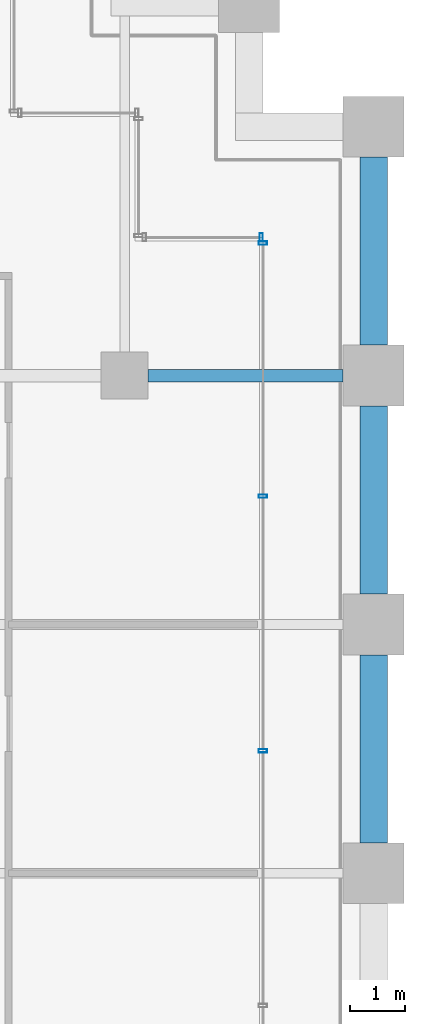
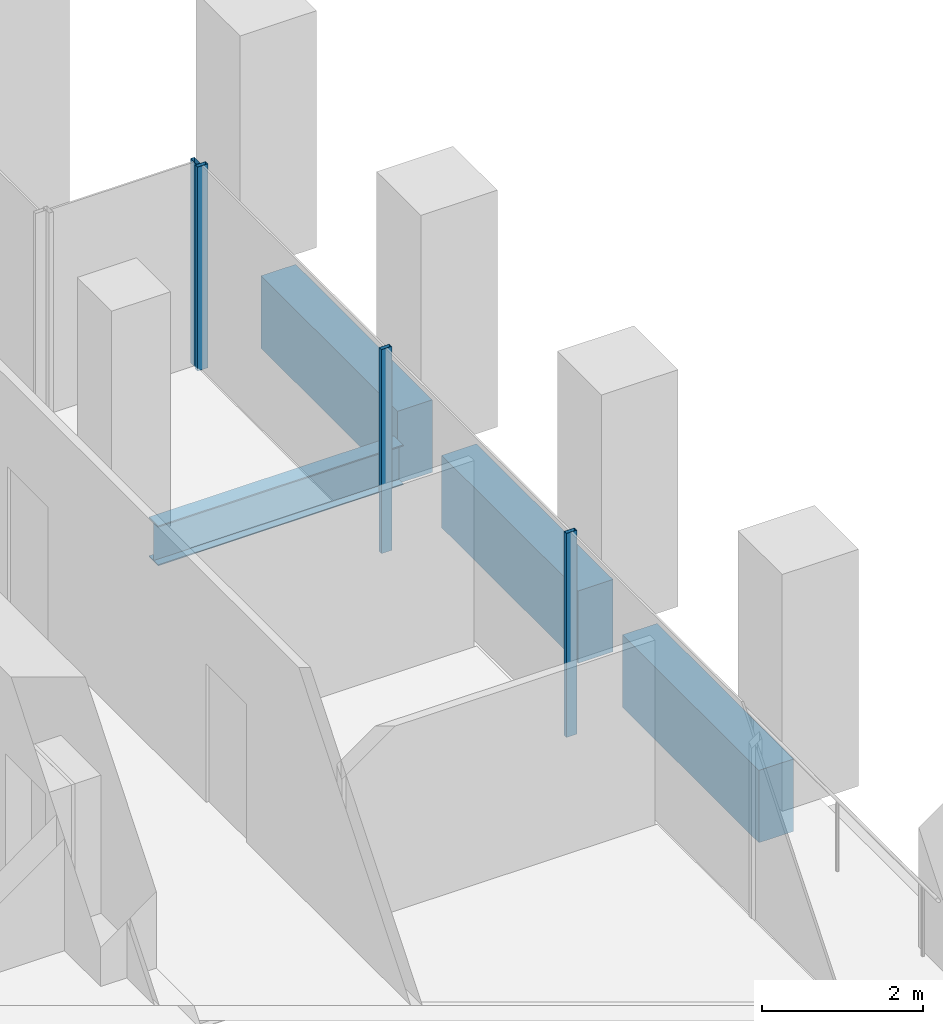
# One storey, part 47 of 54: 4 beams, 4 members, 2 elements without a shape of their own.
"""IFC4 building model written with IfcOpenShell, lengths in metres."""

from ifc_helpers import new_model, si_unit, direction, frame, origin, origin_2d, place, context, subcontext, project, spatial, rectangle, hollow_rectangle, i_section, extrude, material, material_profile, profile_set, type_object, element, aggregate, save


model = new_model("IFC4")

# Units and contexts
model_context = context("Model", 3, precision=1e-05, world=origin(), true_north=direction((0.0, 1.0)))
body_context = subcontext(model_context, "Body", "Model", "MODEL_VIEW")
ifc_project = project(units=[si_unit("LENGTHUNIT", "METRE"), si_unit("AREAUNIT", "SQUARE_METRE"), si_unit("VOLUMEUNIT", "CUBIC_METRE"), si_unit("PLANEANGLEUNIT", "RADIAN"), si_unit("MASSUNIT", "GRAM", prefix="KILO")], contexts=[model_context])

# Site, building, storey
site_placement = place(None, origin())
site = spatial("IfcSite", under=ifc_project, at=site_placement, CompositionType="ELEMENT")
building_placement = place(site_placement, origin())
building = spatial("IfcBuilding", under=site, at=building_placement, Name="Altepetl Exchange Towers", CompositionType="ELEMENT")
storey_placement = place(building_placement, frame((0.0, 0.0, 65.39990234375)))
storey = spatial("IfcBuildingStorey", under=building, at=storey_placement, Name="L15", CompositionType="ELEMENT", Elevation=65.39990234375)

# Beam
ifc_material_1 = material(Name="Steel S355", Category="steel")
ifc_material_profile_1 = material_profile(ifc_material_1, i_section(OverallWidth=0.22802734375, OverallDepth=0.60791015625, WebThickness=0.01123046875, FlangeThickness=0.017333984375, at=origin_2d()), Name="W24X76")
ifc_profile_set_1 = profile_set([ifc_material_profile_1], Name="Steel S355")
beam_type_1 = type_object("IfcBeamType", Name="Girder W24X76", PredefinedType="BEAM", material=ifc_profile_set_1)
beam_1_placement = place(storey_placement, frame((121.925048828125, 49.5, -0.453857421875), z_axis=(1.0, 0.0, 0.0), x_axis=(0.0, 1.0, 0.0)))
element("IfcBeam", 1, at=beam_1_placement, inside=storey, type_object=beam_type_1, Name="gd:B:L15:001", PredefinedType="BEAM", context=body_context, shape_type="SweptSolid", body=[
    extrude(i_section(OverallWidth=0.22802734375, OverallDepth=0.60791015625, WebThickness=0.01123046875, FlangeThickness=0.017333984375, at=origin_2d()), origin(), (0.0, 0.0, 1.0), 3.52490234375),
])

# Curtain wall, members
ifc_material_2 = material(Name="Aluminium 6063-T6 glazing", Category="aluminium")
curtain_wall_type = type_object("IfcCurtainWallType", Name="Loggia glazing system", PredefinedType="NOTDEFINED", material=ifc_material_2)
curtain_wall_1_placement = place(storey_placement, origin())
curtain_wall_1 = element("IfcCurtainWall", 2, at=curtain_wall_1_placement, inside=storey, type_object=curtain_wall_type, Name="CW1 run", PredefinedType="NOTDEFINED")
ifc_material_3 = material(Name="Aluminium 6063-T6", Category="aluminium")
ifc_material_profile_2 = material_profile(ifc_material_3, hollow_rectangle(XDim=0.06005859375, YDim=0.14990234375, WallThickness=0.0029296875, at=origin_2d()), Name="Mullion 60x150 aluminium")
ifc_profile_set_2 = profile_set([ifc_material_profile_2], Name="Aluminium 6063-T6")
member_type = type_object("IfcMemberType", Name="Mullion 60x150 aluminium", PredefinedType="MULLION", material=ifc_profile_set_2)
member_1_placement = place(storey_placement, frame((124.0, 42.71240234375, 0.0), z_axis=(0.0, 0.0, 1.0), x_axis=(0.0, 1.0, 0.0)))
member_1 = element("IfcMember", 3, at=member_1_placement, type_object=member_type, Name="MU1 mullion", PredefinedType="MULLION", context=body_context, shape_type="SweptSolid", body=[
    extrude(hollow_rectangle(XDim=0.06005859375, YDim=0.14990234375, WallThickness=0.0029296875, at=origin_2d()), origin(), (0.0, 0.0, 1.0), 3.10009765625),
])
member_2_placement = place(storey_placement, frame((124.0, 47.31884765625, 0.0), z_axis=(0.0, 0.0, 1.0), x_axis=(0.0, 1.0, 0.0)))
member_2 = element("IfcMember", 4, at=member_2_placement, type_object=member_type, Name="MU1 mullion", PredefinedType="MULLION", context=body_context, shape_type="SweptSolid", body=[
    extrude(hollow_rectangle(XDim=0.06005859375, YDim=0.14990234375, WallThickness=0.0029296875, at=origin_2d()), origin(), (0.0, 0.0, 1.0), 3.10009765625),
])
member_3_placement = place(storey_placement, frame((124.0, 51.89501953125, 0.0), z_axis=(0.0, 0.0, 1.0), x_axis=(0.0, 1.0, 0.0)))
member_3 = element("IfcMember", 5, at=member_3_placement, type_object=member_type, Name="MU1 mullion", PredefinedType="MULLION", context=body_context, shape_type="SweptSolid", body=[
    extrude(hollow_rectangle(XDim=0.06005859375, YDim=0.14990234375, WallThickness=0.0029296875, at=origin_2d()), origin(), (0.0, 0.0, 1.0), 3.10009765625),
])
aggregate(curtain_wall_1, [member_1, member_2, member_3])

# Curtain wall, member
curtain_wall_2_placement = place(storey_placement, origin())
curtain_wall_2 = element("IfcCurtainWall", 6, at=curtain_wall_2_placement, inside=storey, type_object=curtain_wall_type, Name="CW1 run", PredefinedType="NOTDEFINED")
member_4_placement = place(storey_placement, frame((123.969970703125, 52.0, 0.0), z_axis=(0.0, 0.0, 1.0), x_axis=(-1.0, 0.0, 0.0)))
member_4 = element("IfcMember", 7, at=member_4_placement, type_object=member_type, Name="MU1 mullion", PredefinedType="MULLION", context=body_context, shape_type="SweptSolid", body=[
    extrude(hollow_rectangle(XDim=0.06005859375, YDim=0.14990234375, WallThickness=0.0029296875, at=origin_2d()), origin(), (0.0, 0.0, 1.0), 3.10009765625),
])
aggregate(curtain_wall_2, [member_4])

# Beams
ifc_material_4 = material(Name="Concrete C50/60 precast with cantera amarilla facing", Category="concrete")
ifc_material_profile_3 = material_profile(ifc_material_4, rectangle(XDim=0.5, YDim=1.10009765625, at=origin_2d()), Name="500 x 1100")
ifc_profile_set_3 = profile_set([ifc_material_profile_3], Name="Concrete C50/60 precast with cantera amarilla facing")
beam_type_2 = type_object("IfcBeamType", Name="Spandrel beam 500x1100 cantera amarilla", PredefinedType="SPANDREL", material=ifc_profile_set_3)
beam_2_placement = place(storey_placement, frame((126.0, 50.050048828125, -0.699951171875), z_axis=(0.0, 1.0, 0.0), x_axis=(-1.0, 0.0, 0.0)))
element("IfcBeam", 8, at=beam_2_placement, inside=storey, type_object=beam_type_2, Name="sp:B:L15:013", PredefinedType="SPANDREL", context=body_context, shape_type="SweptSolid", body=[
    extrude(rectangle(XDim=0.5, YDim=1.10009765625, at=origin_2d()), origin(), (0.0, 0.0, 1.0), 3.39990234375),
])
ifc_material_5 = material(Name="Concrete C50/60 precast with cantera blanca facing", Category="concrete")
ifc_material_profile_4 = material_profile(ifc_material_5, rectangle(XDim=0.5, YDim=1.10009765625, at=origin_2d()), Name="500 x 1100")
ifc_profile_set_4 = profile_set([ifc_material_profile_4], Name="Concrete C50/60 precast with cantera blanca facing")
beam_type_3 = type_object("IfcBeamType", Name="Spandrel beam 500x1100 cantera blanca", PredefinedType="SPANDREL", material=ifc_profile_set_4)
for number, where, z_axis, x_axis, name in (
    (9, (126.0, 41.050048828125, -0.699951171875), (0.0, 1.0, 0.0), (-1.0, 0.0, 0.0), "sp:B:L15:011"),
    (10, (126.0, 45.550048828125, -0.699951171875), (0.0, 1.0, 0.0), (-1.0, 0.0, 0.0), "sp:B:L15:012"),
):
    element("IfcBeam", number, at=place(storey_placement, frame(where, z_axis=z_axis, x_axis=x_axis)), inside=storey, type_object=beam_type_3, Name=name, PredefinedType="SPANDREL", context=body_context, shape_type="SweptSolid", body=[
        extrude(rectangle(XDim=0.5, YDim=1.10009765625, at=origin_2d()), origin(), (0.0, 0.0, 1.0), 3.39990234375),
    ])

save(model, "model.ifc")
